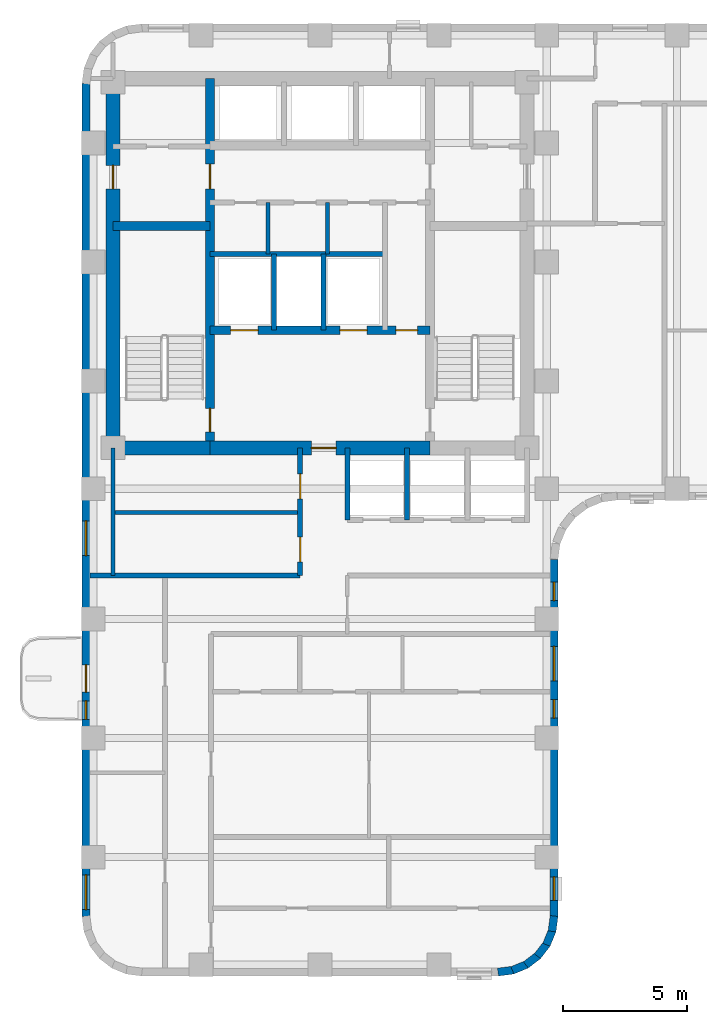
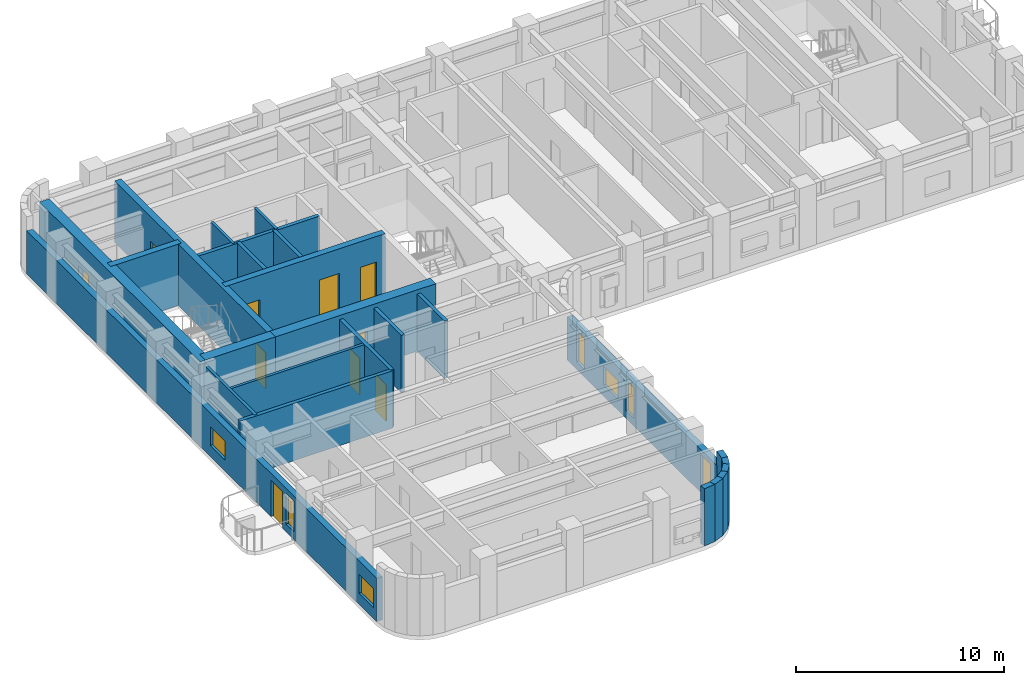
# One storey, part 3 of 10: 25 walls, 10 doors, 7 windows, 17 openings.
"""IFC4 building model written with IfcOpenShell, lengths in metres."""

from ifc_helpers import new_model, si_unit, direction, frame, frame_2d, origin, place, context, subcontext, project, spatial, rectangle, extrude, material, layer, layer_set, type_object, element, fill, save


model = new_model("IFC4")

# Units and contexts
model_context = context("Model", 3, precision=1e-05, world=origin(), true_north=direction((0.0, 1.0)))
body_context = subcontext(model_context, "Body", "Model", "MODEL_VIEW")
ifc_project = project(units=[si_unit("LENGTHUNIT", "METRE"), si_unit("AREAUNIT", "SQUARE_METRE"), si_unit("VOLUMEUNIT", "CUBIC_METRE"), si_unit("PLANEANGLEUNIT", "RADIAN"), si_unit("MASSUNIT", "GRAM", prefix="KILO")], contexts=[model_context])

# Site, building, storey
site_placement = place(None, origin())
site = spatial("IfcSite", under=ifc_project, at=site_placement, CompositionType="ELEMENT")
building_placement = place(site_placement, origin())
building = spatial("IfcBuilding", under=site, at=building_placement, Name="Orvandelia Arch Residences", CompositionType="ELEMENT")
storey_placement = place(building_placement, frame((0.0, 0.0, 143.199951171875)))
storey = spatial("IfcBuildingStorey", under=building, at=storey_placement, Name="L37", CompositionType="ELEMENT", Elevation=143.199951171875)

# Wall, openings, doors
ifc_material_1 = material(Name="Concrete C50/60", Category="concrete")
ifc_layer_1 = layer(ifc_material_1, 0.35009765625, Name="Concrete C50/60", Category="concrete")
ifc_layer_set_1 = layer_set([ifc_layer_1], Name="Concrete C50/60")
wall_type_1 = type_object("IfcWallType", Name="WL-CORE-350", PredefinedType="SHEAR", material=ifc_layer_set_1)
wall_1_placement = place(storey_placement, frame((9.9599609375, 30.89990234375, 0.0), z_axis=(0.0, 0.0, 1.0), x_axis=(0.0, 1.0, 0.0)))
wall_1 = element("IfcWall", 1, at=wall_1_placement, inside=storey, type_object=wall_type_1, Name="Core Shear Wall L37-WEB1", PredefinedType="SHEAR", context=body_context, shape_type="SweptSolid", body=[
    extrude(rectangle(XDim=14.900146484375, YDim=0.35009765625, at=frame_2d((7.4501953125, 0.0))), origin(), (0.0, 0.0, 1.0), 3.60009765625),
])
opening_1_placement = place(wall_1_placement, frame((0.64990234375, 0.0, 0.0)))
opening_1 = element("IfcOpeningElement", 2, at=opening_1_placement, cuts=wall_1, Name="Opening D7", PredefinedType="OPENING", context=body_context, shape_type="SweptSolid", body=[
    extrude(rectangle(XDim=0.949951171875, YDim=2.10009765625, at=frame_2d((0.47509765625, 1.050048828125))), frame((0.0, 0.18505859375, 0.0), z_axis=(0.0, -1.0, 0.0), x_axis=(1.0, 0.0, 0.0)), (0.0, 0.0, 1.0), 0.3701171875),
])
opening_2_placement = place(wall_1_placement, frame((10.449951171875, 0.0, 0.0)))
opening_2 = element("IfcOpeningElement", 3, at=opening_2_placement, cuts=wall_1, Name="Opening D6", PredefinedType="OPENING", context=body_context, shape_type="SweptSolid", body=[
    extrude(rectangle(XDim=1.0, YDim=2.14990234375, at=frame_2d((0.5, 1.074951171875))), frame((0.0, 0.18505859375, 0.0), z_axis=(0.0, -1.0, 0.0), x_axis=(1.0, 0.0, 0.0)), (0.0, 0.0, 1.0), 0.3701171875),
])
ifc_material_2 = material(Name="Smokeproof Painted Steel Fire Door", Category="steel")
door_type_1 = type_object("IfcDoorType", Name="DR-FD60-1000", OperationType="NOTDEFINED", PredefinedType="DOOR", material=ifc_material_2)
door_1_placement = place(opening_2_placement, origin())
door_1 = element("IfcDoor", 4, at=door_1_placement, inside=storey, type_object=door_type_1, Name="High-Rise Lift Hall West Vestibule Door L37", OperationType="SINGLE_SWING_LEFT", OverallHeight=2.14990234375, OverallWidth=1.0, PredefinedType="DOOR", context=body_context, shape_type="SweptSolid", body=[
    extrude(rectangle(XDim=1.0, YDim=2.14990234375, at=frame_2d((0.5, 1.074951171875))), frame((0.0, 0.02490234375, 0.0), z_axis=(0.0, -1.0, 0.0), x_axis=(1.0, 0.0, 0.0)), (0.0, 0.0, 1.0), 0.050048828125),
])
fill(opening_2, door_1)
ifc_material_3 = material(Name="Pressurised Stairwell Fire Door")
door_type_2 = type_object("IfcDoorType", Name="DR-STAIR-950", OperationType="NOTDEFINED", PredefinedType="DOOR", material=ifc_material_3)
door_2_placement = place(opening_1_placement, origin())
door_2 = element("IfcDoor", 5, at=door_2_placement, inside=storey, type_object=door_type_2, Name="Stairwell ST-1 Fire Door L37", OperationType="SINGLE_SWING_LEFT", OverallHeight=2.10009765625, OverallWidth=0.949951171875, PredefinedType="DOOR", context=body_context, shape_type="SweptSolid", body=[
    extrude(rectangle(XDim=0.949951171875, YDim=2.10009765625, at=frame_2d((0.47509765625, 1.050048828125))), frame((0.0, 0.02490234375, 0.0), z_axis=(0.0, -1.0, 0.0), x_axis=(1.0, 0.0, 0.0)), (0.0, 0.0, 1.0), 0.050048828125),
])
fill(opening_1, door_2)

# Wall
wall_2_placement = place(storey_placement, frame((6.050048828125, 39.85009765625, 0.0), z_axis=(0.0, 0.0, 1.0), x_axis=(1.0, 0.0, 0.0)))
element("IfcWall", 6, at=wall_2_placement, inside=storey, type_object=wall_type_1, Name="Core Shear Wall L37-HZ1", PredefinedType="SHEAR", context=body_context, shape_type="SweptSolid", body=[
    extrude(rectangle(XDim=3.909912109375, YDim=0.35009765625, at=frame_2d((1.955078125, 0.0))), origin(), (0.0, 0.0, 1.0), 3.60009765625),
])

# Wall, openings, doors
wall_3_placement = place(storey_placement, frame((9.9599609375, 35.64990234375, 0.0), z_axis=(0.0, 0.0, 1.0), x_axis=(1.0, 0.0, 0.0)))
wall_3 = element("IfcWall", 7, at=wall_3_placement, inside=storey, type_object=wall_type_1, Name="Core Shear Wall L37-HZ3", PredefinedType="SHEAR", context=body_context, shape_type="SweptSolid", body=[
    extrude(rectangle(XDim=8.880126953125, YDim=0.35009765625, at=frame_2d((4.43994140625, 0.0))), origin(), (0.0, 0.0, 1.0), 3.60009765625),
])
opening_3_placement = place(wall_3_placement, frame((0.840087890625, 0.0, 0.0)))
opening_3 = element("IfcOpeningElement", 8, at=opening_3_placement, cuts=wall_3, Name="Opening FLD", PredefinedType="OPENING", context=body_context, shape_type="SweptSolid", body=[
    extrude(rectangle(XDim=1.10009765625, YDim=2.14990234375, at=frame_2d((0.550048828125, 1.074951171875))), frame((0.0, 0.18505859375, 0.0), z_axis=(0.0, -1.0, 0.0), x_axis=(1.0, 0.0, 0.0)), (0.0, 0.0, 1.0), 0.3701171875),
])
opening_4_placement = place(wall_3_placement, frame((5.239990234375, 0.0, 0.0)))
opening_4 = element("IfcOpeningElement", 9, at=opening_4_placement, cuts=wall_3, Name="Opening FLD", PredefinedType="OPENING", context=body_context, shape_type="SweptSolid", body=[
    extrude(rectangle(XDim=1.10009765625, YDim=2.14990234375, at=frame_2d((0.550048828125, 1.074951171875))), frame((0.0, 0.18505859375, 0.0), z_axis=(0.0, -1.0, 0.0), x_axis=(1.0, 0.0, 0.0)), (0.0, 0.0, 1.0), 0.3701171875),
])
opening_5_placement = place(wall_3_placement, frame((7.5, 0.0, 0.0)))
opening_5 = element("IfcOpeningElement", 10, at=opening_5_placement, cuts=wall_3, Name="Opening D5", PredefinedType="OPENING", context=body_context, shape_type="SweptSolid", body=[
    extrude(rectangle(XDim=0.8798828125, YDim=2.10009765625, at=frame_2d((0.43994140625, 1.050048828125))), frame((0.0, 0.18505859375, 0.0), z_axis=(0.0, -1.0, 0.0), x_axis=(1.0, 0.0, 0.0)), (0.0, 0.0, 1.0), 0.3701171875),
])
ifc_material_4 = material(Name="Firefighting Lift Stainless Sliding Door")
door_type_3 = type_object("IfcDoorType", Name="DR-FLFT-1100", OperationType="NOTDEFINED", PredefinedType="DOOR", material=ifc_material_4)
door_3_placement = place(opening_3_placement, origin())
door_3 = element("IfcDoor", 11, at=door_3_placement, inside=storey, type_object=door_type_3, Name="Firefighting Lift Landing Door FLD-FL1-L37", OperationType="SLIDING_TO_LEFT", OverallHeight=2.14990234375, OverallWidth=1.10009765625, PredefinedType="DOOR", context=body_context, shape_type="SweptSolid", body=[
    extrude(rectangle(XDim=1.10009765625, YDim=2.14990234375, at=frame_2d((0.550048828125, 1.074951171875))), frame((0.0, 0.02490234375, 0.0), z_axis=(0.0, -1.0, 0.0), x_axis=(1.0, 0.0, 0.0)), (0.0, 0.0, 1.0), 0.050048828125),
])
fill(opening_3, door_3)
door_4_placement = place(opening_4_placement, origin())
door_4 = element("IfcDoor", 12, at=door_4_placement, inside=storey, type_object=door_type_3, Name="Firefighting Lift Landing Door FLD-FL2-L37", OperationType="SLIDING_TO_RIGHT", OverallHeight=2.14990234375, OverallWidth=1.10009765625, PredefinedType="DOOR", context=body_context, shape_type="SweptSolid", body=[
    extrude(rectangle(XDim=1.10009765625, YDim=2.14990234375, at=frame_2d((0.550048828125, 1.074951171875))), frame((0.0, 0.02490234375, 0.0), z_axis=(0.0, -1.0, 0.0), x_axis=(1.0, 0.0, 0.0)), (0.0, 0.0, 1.0), 0.050048828125),
])
fill(opening_4, door_4)
ifc_material_5 = material(Name="Painted Galvanised Steel Service Door", Category="steel")
door_type_4 = type_object("IfcDoorType", Name="DR-SRV-880", OperationType="NOTDEFINED", PredefinedType="DOOR", material=ifc_material_5)
door_5_placement = place(opening_5_placement, origin())
door_5 = element("IfcDoor", 13, at=door_5_placement, inside=storey, type_object=door_type_4, Name="Core Stairway Passage South Fire Door L37", OperationType="SINGLE_SWING_LEFT", OverallHeight=2.10009765625, OverallWidth=0.8798828125, PredefinedType="DOOR", context=body_context, shape_type="SweptSolid", body=[
    extrude(rectangle(XDim=0.8798828125, YDim=2.10009765625, at=frame_2d((0.43994140625, 1.050048828125))), frame((0.0, 0.02490234375, 0.0), z_axis=(0.0, -1.0, 0.0), x_axis=(1.0, 0.0, 0.0)), (0.0, 0.0, 1.0), 0.050048828125),
])
fill(opening_5, door_5)

# Wall, opening, door
ifc_material_6 = material(Name="Concrete C60/75", Category="concrete")
ifc_layer_2 = layer(ifc_material_6, 0.550048828125, Name="Concrete C60/75", Category="concrete")
ifc_layer_set_2 = layer_set([ifc_layer_2], Name="Concrete C60/75")
wall_type_2 = type_object("IfcWallType", Name="WL-CORE-550", PredefinedType="SHEAR", material=ifc_layer_set_2)
wall_4_placement = place(storey_placement, frame((6.050048828125, 30.625, 0.0), z_axis=(0.0, 0.0, 1.0), x_axis=(0.0, 1.0, 0.0)))
wall_4 = element("IfcWall", 14, at=wall_4_placement, inside=storey, type_object=wall_type_2, Name="Core Shear Wall L37-W", PredefinedType="SHEAR", context=body_context, shape_type="SweptSolid", body=[
    extrude(rectangle(XDim=15.449951171875, YDim=0.550048828125, at=frame_2d((7.72509765625, 0.0))), origin(), (0.0, 0.0, 1.0), 3.60009765625),
])
opening_6_placement = place(wall_4_placement, frame((10.72509765625, 0.0, 0.0)))
opening_6 = element("IfcOpeningElement", 15, at=opening_6_placement, cuts=wall_4, Name="Opening D2", PredefinedType="OPENING", context=body_context, shape_type="SweptSolid", body=[
    extrude(rectangle(XDim=0.949951171875, YDim=2.14990234375, at=frame_2d((0.47509765625, 1.074951171875))), frame((0.0, 0.28515625, 0.0), z_axis=(0.0, -1.0, 0.0), x_axis=(1.0, 0.0, 0.0)), (0.0, 0.0, 1.0), 0.570068359375),
])
ifc_material_7 = material(Name="Solid-Core Timber Interior Fire Door", Category="wood")
door_type_5 = type_object("IfcDoorType", Name="DR-APT-950", OperationType="NOTDEFINED", PredefinedType="DOOR", material=ifc_material_7)
door_6_placement = place(opening_6_placement, origin())
door_6 = element("IfcDoor", 16, at=door_6_placement, inside=storey, type_object=door_type_5, Name="West Viewing Study Door L37", OperationType="SINGLE_SWING_RIGHT", OverallHeight=2.14990234375, OverallWidth=0.949951171875, PredefinedType="DOOR", context=body_context, shape_type="SweptSolid", body=[
    extrude(rectangle(XDim=0.949951171875, YDim=2.14990234375, at=frame_2d((0.47509765625, 1.074951171875))), frame((0.0, 0.02490234375, 0.0), z_axis=(0.0, -1.0, 0.0), x_axis=(1.0, 0.0, 0.0)), (0.0, 0.0, 1.0), 0.050048828125),
])
fill(opening_6, door_6)

# Wall
wall_5_placement = place(storey_placement, frame((6.050048828125, 30.89990234375, 0.0), z_axis=(0.0, 0.0, 1.0), x_axis=(1.0, 0.0, 0.0)))
element("IfcWall", 17, at=wall_5_placement, inside=storey, type_object=wall_type_2, Name="Core Shear Wall L37-SW", PredefinedType="SHEAR", context=body_context, shape_type="SweptSolid", body=[
    extrude(rectangle(XDim=3.909912109375, YDim=0.550048828125, at=frame_2d((1.955078125, 0.0))), origin(), (0.0, 0.0, 1.0), 3.60009765625),
])

# Wall, opening, door
wall_6_placement = place(storey_placement, frame((9.9599609375, 30.89990234375, 0.0), z_axis=(0.0, 0.0, 1.0), x_axis=(1.0, 0.0, 0.0)))
wall_6 = element("IfcWall", 18, at=wall_6_placement, inside=storey, type_object=wall_type_2, Name="Core Shear Wall L37-SM", PredefinedType="SHEAR", context=body_context, shape_type="SweptSolid", body=[
    extrude(rectangle(XDim=8.880126953125, YDim=0.550048828125, at=frame_2d((4.43994140625, 0.0))), origin(), (0.0, 0.0, 1.0), 3.60009765625),
])
opening_7_placement = place(wall_6_placement, frame((4.090087890625, 0.0, 0.0)))
opening_7 = element("IfcOpeningElement", 19, at=opening_7_placement, cuts=wall_6, Name="Opening D6", PredefinedType="OPENING", context=body_context, shape_type="SweptSolid", body=[
    extrude(rectangle(XDim=1.0, YDim=2.14990234375, at=frame_2d((0.5, 1.074951171875))), frame((0.0, 0.28515625, 0.0), z_axis=(0.0, -1.0, 0.0), x_axis=(1.0, 0.0, 0.0)), (0.0, 0.0, 1.0), 0.570068359375),
])
door_7_placement = place(opening_7_placement, origin())
door_7 = element("IfcDoor", 20, at=door_7_placement, inside=storey, type_object=door_type_1, Name="Firefighting Lobby Smokeproof Door L37", OperationType="SINGLE_SWING_LEFT", OverallHeight=2.14990234375, OverallWidth=1.0, PredefinedType="DOOR", context=body_context, shape_type="SweptSolid", body=[
    extrude(rectangle(XDim=1.0, YDim=2.14990234375, at=frame_2d((0.5, 1.074951171875))), frame((0.0, 0.02490234375, 0.0), z_axis=(0.0, -1.0, 0.0), x_axis=(1.0, 0.0, 0.0)), (0.0, 0.0, 1.0), 0.050048828125),
])
fill(opening_7, door_7)

# Wall
ifc_material_8 = material(Name="Fire-Rated Corridor Partition")
ifc_layer_3 = layer(ifc_material_8, 0.199951171875, Name="Fire-Rated Corridor Partition")
ifc_layer_set_3 = layer_set([ifc_layer_3], Name="Fire-Rated Corridor Partition")
wall_type_3 = type_object("IfcWallType", Name="WL-CORR-200", PredefinedType="PARTITIONING", material=ifc_layer_set_3)
wall_7_placement = place(storey_placement, frame((5.1201171875, 25.75, 0.0), z_axis=(0.0, 0.0, 1.0), x_axis=(1.0, 0.0, 0.0)))
element("IfcWall", 21, at=wall_7_placement, inside=storey, type_object=wall_type_3, Name="Interior Partition Wall WL-L37-WLNK-N", PredefinedType="PARTITIONING", context=body_context, shape_type="SweptSolid", body=[
    extrude(rectangle(XDim=8.47998046875, YDim=0.199951171875, at=frame_2d((4.239990234375, 0.0))), origin(), (0.0, 0.0, 1.0), 3.360107421875),
])

# Wall, openings, windows
ifc_material_9 = material(Name="Precast concrete C40/50", Category="concrete")
ifc_layer_4 = layer(ifc_material_9, 0.320068359375, Name="Precast concrete C40/50", Category="concrete")
ifc_layer_set_4 = layer_set([ifc_layer_4], Name="Precast concrete C40/50")
wall_type_4 = type_object("IfcWallType", Name="WL-EXT-STONE-320", PredefinedType="STANDARD", material=ifc_layer_set_4)
wall_8_placement = place(storey_placement, frame((23.840087890625, 26.39990234375, 0.0), z_axis=(0.0, 0.0, 1.0), x_axis=(0.0, -1.0, 0.0)))
wall_8 = element("IfcWall", 22, at=wall_8_placement, inside=storey, type_object=wall_type_4, Name="Coral-Limestone Precast Facade Wall L37-028", PredefinedType="STANDARD", context=body_context, shape_type="SweptSolid", body=[
    extrude(rectangle(XDim=14.39990234375, YDim=0.320068359375, at=frame_2d((7.199951171875, 0.0))), origin(), (0.0, 0.0, 1.0), 2.5400390625),
])
opening_8_placement = place(wall_8_placement, frame((3.5, 0.0, 0.64990234375)))
opening_8 = element("IfcOpeningElement", 23, at=opening_8_placement, cuts=wall_8, Name="Opening W10", PredefinedType="OPENING", context=body_context, shape_type="SweptSolid", body=[
    extrude(rectangle(XDim=1.39990234375, YDim=1.10009765625, at=frame_2d((0.699951171875, 0.550048828125))), frame((0.0, 0.169921875, 0.0), z_axis=(0.0, -1.0, 0.0), x_axis=(1.0, 0.0, 0.0)), (0.0, 0.0, 1.0), 0.340087890625),
])
opening_9_placement = place(wall_8_placement, frame((12.801513671875, 0.0, 0.449951171875)))
opening_9 = element("IfcOpeningElement", 24, at=opening_9_placement, cuts=wall_8, Name="Opening W4", PredefinedType="OPENING", context=body_context, shape_type="SweptSolid", body=[
    extrude(rectangle(XDim=0.949951171875, YDim=1.800048828125, at=frame_2d((0.47509765625, 0.89990234375))), frame((0.0, 0.169921875, 0.0), z_axis=(0.0, -1.0, 0.0), x_axis=(1.0, 0.0, 0.0)), (0.0, 0.0, 1.0), 0.340087890625),
])
opening_10_placement = place(wall_8_placement, frame((5.6474609375, 0.0, 0.449951171875)))
opening_10 = element("IfcOpeningElement", 25, at=opening_10_placement, cuts=wall_8, Name="Opening W11", PredefinedType="OPENING", context=body_context, shape_type="SweptSolid", body=[
    extrude(rectangle(XDim=0.75, YDim=1.800048828125, at=frame_2d((0.375, 0.89990234375))), frame((0.0, 0.169921875, 0.0), z_axis=(0.0, -1.0, 0.0), x_axis=(1.0, 0.0, 0.0)), (0.0, 0.0, 1.0), 0.340087890625),
])
opening_11_placement = place(wall_8_placement, frame((0.907470703125, 0.0, 0.449951171875)))
opening_11 = element("IfcOpeningElement", 26, at=opening_11_placement, cuts=wall_8, Name="Opening W11", PredefinedType="OPENING", context=body_context, shape_type="SweptSolid", body=[
    extrude(rectangle(XDim=0.75, YDim=1.800048828125, at=frame_2d((0.375, 0.89990234375))), frame((0.0, 0.169921875, 0.0), z_axis=(0.0, -1.0, 0.0), x_axis=(1.0, 0.0, 0.0)), (0.0, 0.0, 1.0), 0.340087890625),
])
ifc_material_10 = material(Name="Tempered Low-E Insulated Glazing", Category="glass")
window_type_1 = type_object("IfcWindowType", Name="WIN-BED-0750x1800", PartitioningType="SINGLE_PANEL", PredefinedType="WINDOW", material=ifc_material_10)
window_1_placement = place(opening_10_placement, origin())
window_1 = element("IfcWindow", 27, at=window_1_placement, inside=storey, type_object=window_type_1, Name="Recessed Punched Window L37-016", OverallHeight=1.800048828125, OverallWidth=0.75, PartitioningType="SINGLE_PANEL", PredefinedType="WINDOW", context=body_context, shape_type="SweptSolid", body=[
    extrude(rectangle(XDim=0.75, YDim=1.800048828125, at=frame_2d((0.375, 0.89990234375))), frame((0.0, 0.030029296875, 0.0), z_axis=(0.0, -1.0, 0.0), x_axis=(1.0, 0.0, 0.0)), (0.0, 0.0, 1.0), 0.06005859375),
])
fill(opening_10, window_1)
window_2_placement = place(opening_11_placement, origin())
window_2 = element("IfcWindow", 28, at=window_2_placement, inside=storey, type_object=window_type_1, Name="Recessed Punched Window L37-017", OverallHeight=1.800048828125, OverallWidth=0.75, PartitioningType="SINGLE_PANEL", PredefinedType="WINDOW", context=body_context, shape_type="SweptSolid", body=[
    extrude(rectangle(XDim=0.75, YDim=1.800048828125, at=frame_2d((0.375, 0.89990234375))), frame((0.0, 0.030029296875, 0.0), z_axis=(0.0, -1.0, 0.0), x_axis=(1.0, 0.0, 0.0)), (0.0, 0.0, 1.0), 0.06005859375),
])
fill(opening_11, window_2)
window_type_2 = type_object("IfcWindowType", Name="WIN-CLR-1400x1100", PartitioningType="SINGLE_PANEL", PredefinedType="WINDOW", material=ifc_material_10)
window_3_placement = place(opening_8_placement, origin())
window_3 = element("IfcWindow", 29, at=window_3_placement, inside=storey, type_object=window_type_2, Name="Recessed Punched Window L37-014", OverallHeight=1.10009765625, OverallWidth=1.39990234375, PartitioningType="SINGLE_PANEL", PredefinedType="WINDOW", context=body_context, shape_type="SweptSolid", body=[
    extrude(rectangle(XDim=1.39990234375, YDim=1.10009765625, at=frame_2d((0.699951171875, 0.550048828125))), frame((0.0, 0.030029296875, 0.0), z_axis=(0.0, -1.0, 0.0), x_axis=(1.0, 0.0, 0.0)), (0.0, 0.0, 1.0), 0.06005859375),
])
fill(opening_8, window_3)
window_type_3 = type_object("IfcWindowType", Name="WIN-RES-0950x1800", PartitioningType="SINGLE_PANEL", PredefinedType="WINDOW", material=ifc_material_10)
window_4_placement = place(opening_9_placement, origin())
window_4 = element("IfcWindow", 30, at=window_4_placement, inside=storey, type_object=window_type_3, Name="Recessed Punched Window L37-015", OverallHeight=1.800048828125, OverallWidth=0.949951171875, PartitioningType="SINGLE_PANEL", PredefinedType="WINDOW", context=body_context, shape_type="SweptSolid", body=[
    extrude(rectangle(XDim=0.949951171875, YDim=1.800048828125, at=frame_2d((0.47509765625, 0.89990234375))), frame((0.0, 0.030029296875, 0.0), z_axis=(0.0, -1.0, 0.0), x_axis=(1.0, 0.0, 0.0)), (0.0, 0.0, 1.0), 0.06005859375),
])
fill(opening_9, window_4)

# Walls
wall_9_placement = place(storey_placement, frame((23.84130859375, 12.02099609375, 0.0), z_axis=(0.0, 0.0, 1.0), x_axis=(-0.130504898859, -0.991447664465, 0.0)))
element("IfcWall", 31, at=wall_9_placement, inside=storey, type_object=wall_type_4, Name="Coral-Limestone Precast Facade Wall L37-029", PredefinedType="STANDARD", context=body_context, shape_type="SweptSolid", body=[
    extrude(rectangle(XDim=0.626708984375, YDim=0.320068359375, at=frame_2d((0.3134765625, 0.0))), origin(), (0.0, 0.0, 1.0), 3.360107421875),
])
for number, where, z_axis, x_axis, name in (
    (32, (23.7705078125, 11.43994140625, 0.0), (0.0, 0.0, 1.0), (-0.382650053678, -0.92389335771, 0.0), "Coral-Limestone Precast Facade Wall L37-030"),
    (33, (23.551513671875, 10.8974609375, 0.0), (0.0, 0.0, 1.0), (-0.608693302629, -0.793405610854, 0.0), "Coral-Limestone Precast Facade Wall L37-031"),
    (34, (23.19970703125, 10.4296875, 0.0), (0.0, 0.0, 1.0), (-0.793405610854, -0.608693302629, 0.0), "Coral-Limestone Precast Facade Wall L37-032"),
    (35, (22.73876953125, 10.0693359375, 0.0), (0.0, 0.0, 1.0), (-0.92389335771, -0.382650053678, 0.0), "Coral-Limestone Precast Facade Wall L37-033"),
    (36, (22.2001953125, 9.84033203125, 0.0), (0.0, 0.0, 1.0), (-0.9914410257, -0.130555323746, 0.0), "Coral-Limestone Precast Facade Wall L37-034"),
):
    element("IfcWall", number, at=place(storey_placement, frame(where, z_axis=z_axis, x_axis=x_axis)), inside=storey, type_object=wall_type_4, Name=name, PredefinedType="STANDARD", context=body_context, shape_type="SweptSolid", body=[
        extrude(rectangle(XDim=0.62646484375, YDim=0.320068359375, at=frame_2d((0.313232421875, 0.0))), origin(), (0.0, 0.0, 1.0), 3.360107421875),
    ])

# Wall, openings, door, windows
wall_10_placement = place(storey_placement, frame((4.9599609375, 12.0, 0.0), z_axis=(0.0, 0.0, 1.0), x_axis=(0.0, 1.0, 0.0)))
wall_10 = element("IfcWall", 37, at=wall_10_placement, inside=storey, type_object=wall_type_4, Name="Coral-Limestone Precast Facade Wall L37-042", PredefinedType="STANDARD", context=body_context, shape_type="SweptSolid", body=[
    extrude(rectangle(XDim=33.60009765625, YDim=0.320068359375, at=frame_2d((16.800048828125, 0.0))), origin(), (0.0, 0.0, 1.0), 2.5400390625),
])
opening_12_placement = place(wall_10_placement, frame((9.050048828125, 0.0, 0.0)))
opening_12 = element("IfcOpeningElement", 38, at=opening_12_placement, cuts=wall_10, Name="Opening BD1", PredefinedType="OPENING", context=body_context, shape_type="SweptSolid", body=[
    extrude(rectangle(XDim=1.10009765625, YDim=2.14990234375, at=frame_2d((0.550048828125, 1.074951171875))), frame((0.0, 0.169921875, 0.0), z_axis=(0.0, -1.0, 0.0), x_axis=(1.0, 0.0, 0.0)), (0.0, 0.0, 1.0), 0.340087890625),
])
opening_13_placement = place(wall_10_placement, frame((14.5576171875, 0.0, 0.64990234375)))
opening_13 = element("IfcOpeningElement", 39, at=opening_13_placement, cuts=wall_10, Name="Opening W10", PredefinedType="OPENING", context=body_context, shape_type="SweptSolid", body=[
    extrude(rectangle(XDim=1.39990234375, YDim=1.10009765625, at=frame_2d((0.699951171875, 0.550048828125))), frame((0.0, 0.169921875, 0.0), z_axis=(0.0, -1.0, 0.0), x_axis=(1.0, 0.0, 0.0)), (0.0, 0.0, 1.0), 0.340087890625),
])
opening_14_placement = place(wall_10_placement, frame((0.282470703125, 0.0, 0.64990234375)))
opening_14 = element("IfcOpeningElement", 40, at=opening_14_placement, cuts=wall_10, Name="Opening W10", PredefinedType="OPENING", context=body_context, shape_type="SweptSolid", body=[
    extrude(rectangle(XDim=1.39990234375, YDim=1.10009765625, at=frame_2d((0.699951171875, 0.550048828125))), frame((0.0, 0.169921875, 0.0), z_axis=(0.0, -1.0, 0.0), x_axis=(1.0, 0.0, 0.0)), (0.0, 0.0, 1.0), 0.340087890625),
])
opening_15_placement = place(wall_10_placement, frame((7.947509765625, 0.0, 0.449951171875)))
opening_15 = element("IfcOpeningElement", 41, at=opening_15_placement, cuts=wall_10, Name="Opening W11", PredefinedType="OPENING", context=body_context, shape_type="SweptSolid", body=[
    extrude(rectangle(XDim=0.75, YDim=1.800048828125, at=frame_2d((0.375, 0.89990234375))), frame((0.0, 0.169921875, 0.0), z_axis=(0.0, -1.0, 0.0), x_axis=(1.0, 0.0, 0.0)), (0.0, 0.0, 1.0), 0.340087890625),
])
ifc_material_11 = material(Name="Thermally Broken Aluminium Glazed Door", Category="aluminium")
door_type_6 = type_object("IfcDoorType", Name="DR-BAL-GLAZ-1100", OperationType="NOTDEFINED", PredefinedType="DOOR", material=ifc_material_11)
door_8_placement = place(opening_12_placement, origin())
door_8 = element("IfcDoor", 42, at=door_8_placement, inside=storey, type_object=door_type_6, Name="Tree Balcony Glazed Door BAL-L37-W1", OperationType="SINGLE_SWING_RIGHT", OverallHeight=2.14990234375, OverallWidth=1.10009765625, PredefinedType="DOOR", context=body_context, shape_type="SweptSolid", body=[
    extrude(rectangle(XDim=1.10009765625, YDim=2.14990234375, at=frame_2d((0.550048828125, 1.074951171875))), frame((0.0, 0.02490234375, 0.0), z_axis=(0.0, -1.0, 0.0), x_axis=(1.0, 0.0, 0.0)), (0.0, 0.0, 1.0), 0.050048828125),
])
fill(opening_12, door_8)
window_5_placement = place(opening_15_placement, origin())
window_5 = element("IfcWindow", 43, at=window_5_placement, inside=storey, type_object=window_type_1, Name="Recessed Punched Window L37-021", OverallHeight=1.800048828125, OverallWidth=0.75, PartitioningType="SINGLE_PANEL", PredefinedType="WINDOW", context=body_context, shape_type="SweptSolid", body=[
    extrude(rectangle(XDim=0.75, YDim=1.800048828125, at=frame_2d((0.375, 0.89990234375))), frame((0.0, 0.030029296875, 0.0), z_axis=(0.0, -1.0, 0.0), x_axis=(1.0, 0.0, 0.0)), (0.0, 0.0, 1.0), 0.06005859375),
])
fill(opening_15, window_5)
window_6_placement = place(opening_13_placement, origin())
window_6 = element("IfcWindow", 44, at=window_6_placement, inside=storey, type_object=window_type_2, Name="Recessed Punched Window L37-019", OverallHeight=1.10009765625, OverallWidth=1.39990234375, PartitioningType="SINGLE_PANEL", PredefinedType="WINDOW", context=body_context, shape_type="SweptSolid", body=[
    extrude(rectangle(XDim=1.39990234375, YDim=1.10009765625, at=frame_2d((0.699951171875, 0.550048828125))), frame((0.0, 0.030029296875, 0.0), z_axis=(0.0, -1.0, 0.0), x_axis=(1.0, 0.0, 0.0)), (0.0, 0.0, 1.0), 0.06005859375),
])
fill(opening_13, window_6)
window_7_placement = place(opening_14_placement, origin())
window_7 = element("IfcWindow", 45, at=window_7_placement, inside=storey, type_object=window_type_2, Name="Recessed Punched Window L37-020", OverallHeight=1.10009765625, OverallWidth=1.39990234375, PartitioningType="SINGLE_PANEL", PredefinedType="WINDOW", context=body_context, shape_type="SweptSolid", body=[
    extrude(rectangle(XDim=1.39990234375, YDim=1.10009765625, at=frame_2d((0.699951171875, 0.550048828125))), frame((0.0, 0.030029296875, 0.0), z_axis=(0.0, -1.0, 0.0), x_axis=(1.0, 0.0, 0.0)), (0.0, 0.0, 1.0), 0.06005859375),
])
fill(opening_14, window_7)

# Walls
ifc_material_12 = material(Name="Acoustic Gypsum Stud Partition")
ifc_layer_5 = layer(ifc_material_12, 0.14990234375, Name="Acoustic Gypsum Stud Partition")
ifc_layer_set_5 = layer_set([ifc_layer_5], Name="Acoustic Gypsum Stud Partition")
wall_type_5 = type_object("IfcWallType", Name="WL-PART-150", PredefinedType="PARTITIONING", material=ifc_layer_set_5)
for number, where, z_axis, x_axis, name in (
    (46, (12.300048828125, 38.719970703125, 0.0), (0.0, 0.0, 1.0), (0.0, 1.0, 0.0), "Interior Partition Wall WL-L37-CSA-1"),
    (47, (14.699951171875, 38.719970703125, 0.0), (0.0, 0.0, 1.0), (0.0, 1.0, 0.0), "Interior Partition Wall WL-L37-CSA-2"),
):
    element("IfcWall", number, at=place(storey_placement, frame(where, z_axis=z_axis, x_axis=x_axis)), inside=storey, type_object=wall_type_5, Name=name, PredefinedType="PARTITIONING", context=body_context, shape_type="SweptSolid", body=[
        extrude(rectangle(XDim=2.080078125, YDim=0.14990234375, at=frame_2d((1.0400390625, 0.0))), origin(), (0.0, 0.0, 1.0), 3.360107421875),
    ])
wall_11_placement = place(storey_placement, frame((6.050048828125, 25.75, 0.0), z_axis=(0.0, 0.0, 1.0), x_axis=(0.0, 1.0, 0.0)))
element("IfcWall", 48, at=wall_11_placement, inside=storey, type_object=wall_type_5, Name="Interior Partition Wall WL-L37-B1REUSE-W", PredefinedType="PARTITIONING", context=body_context, shape_type="SweptSolid", body=[
    extrude(rectangle(XDim=5.14990234375, YDim=0.14990234375, at=frame_2d((2.574951171875, 0.0))), origin(), (0.0, 0.0, 1.0), 3.360107421875),
])
wall_12_placement = place(storey_placement, frame((6.050048828125, 28.300048828125, 0.0), z_axis=(0.0, 0.0, 1.0), x_axis=(1.0, 0.0, 0.0)))
element("IfcWall", 49, at=wall_12_placement, inside=storey, type_object=wall_type_5, Name="Interior Partition Wall WL-L37-B1R-H", PredefinedType="PARTITIONING", context=body_context, shape_type="SweptSolid", body=[
    extrude(rectangle(XDim=7.550048828125, YDim=0.14990234375, at=frame_2d((3.77490234375, 0.0))), origin(), (0.0, 0.0, 1.0), 3.360107421875),
])
ifc_material_13 = material(Name="Fire-Rated Shaft Enclosure Wall")
ifc_layer_6 = layer(ifc_material_13, 0.199951171875, Name="Fire-Rated Shaft Enclosure Wall")
ifc_layer_set_6 = layer_set([ifc_layer_6], Name="Fire-Rated Shaft Enclosure Wall")
wall_type_6 = type_object("IfcWallType", Name="WL-SHAFT-200", PredefinedType="POLYGONAL", material=ifc_layer_set_6)
wall_13_placement = place(storey_placement, frame((9.9599609375, 38.719970703125, 0.0), z_axis=(0.0, 0.0, 1.0), x_axis=(1.0, 0.0, 0.0)))
element("IfcWall", 50, at=wall_13_placement, inside=storey, type_object=wall_type_6, Name="Interior Partition Wall WL-L37-FLN", PredefinedType="POLYGONAL", context=body_context, shape_type="SweptSolid", body=[
    extrude(rectangle(XDim=7.06005859375, YDim=0.199951171875, at=frame_2d((3.530029296875, 0.0))), origin(), (0.0, 0.0, 1.0), 3.360107421875),
])
for number, where, z_axis, x_axis, name in (
    (51, (12.550048828125, 35.64990234375, 0.0), (0.0, 0.0, 1.0), (0.0, 1.0, 0.0), "Interior Partition Wall WL-L37-FLM1"),
    (52, (14.550048828125, 35.64990234375, 0.0), (0.0, 0.0, 1.0), (0.0, 1.0, 0.0), "Interior Partition Wall WL-L37-FLM2"),
):
    element("IfcWall", number, at=place(storey_placement, frame(where, z_axis=z_axis, x_axis=x_axis)), inside=storey, type_object=wall_type_6, Name=name, PredefinedType="POLYGONAL", context=body_context, shape_type="SweptSolid", body=[
        extrude(rectangle(XDim=3.070068359375, YDim=0.199951171875, at=frame_2d((1.53515625, 0.0))), origin(), (0.0, 0.0, 1.0), 3.360107421875),
    ])

# Wall, openings, doors
wall_14_placement = place(storey_placement, frame((13.60009765625, 25.75, 0.0), z_axis=(0.0, 0.0, 1.0), x_axis=(0.0, 1.0, 0.0)))
wall_14 = element("IfcWall", 53, at=wall_14_placement, inside=storey, type_object=wall_type_6, Name="Interior Partition Wall WL-L37-B1REUSE-E", PredefinedType="POLYGONAL", context=body_context, shape_type="SweptSolid", body=[
    extrude(rectangle(XDim=5.14990234375, YDim=0.199951171875, at=frame_2d((2.574951171875, 0.0))), origin(), (0.0, 0.0, 1.0), 3.360107421875),
])
opening_16_placement = place(wall_14_placement, frame((0.550048828125, 0.0, 0.0)))
opening_16 = element("IfcOpeningElement", 54, at=opening_16_placement, cuts=wall_14, Name="Opening D6", PredefinedType="OPENING", context=body_context, shape_type="SweptSolid", body=[
    extrude(rectangle(XDim=1.0, YDim=2.14990234375, at=frame_2d((0.5, 1.074951171875))), frame((0.0, 0.10986328125, 0.0), z_axis=(0.0, -1.0, 0.0), x_axis=(1.0, 0.0, 0.0)), (0.0, 0.0, 1.0), 0.219970703125),
])
opening_17_placement = place(wall_14_placement, frame((3.10009765625, 0.0, 0.0)))
opening_17 = element("IfcOpeningElement", 55, at=opening_17_placement, cuts=wall_14, Name="Opening D6", PredefinedType="OPENING", context=body_context, shape_type="SweptSolid", body=[
    extrude(rectangle(XDim=1.0, YDim=2.14990234375, at=frame_2d((0.5, 1.074951171875))), frame((0.0, 0.10986328125, 0.0), z_axis=(0.0, -1.0, 0.0), x_axis=(1.0, 0.0, 0.0)), (0.0, 0.0, 1.0), 0.219970703125),
])
door_9_placement = place(opening_16_placement, origin())
door_9 = element("IfcDoor", 56, at=door_9_placement, inside=storey, type_object=door_type_1, Name="DR-L37-B1RS", OperationType="SINGLE_SWING_LEFT", OverallHeight=2.14990234375, OverallWidth=1.0, PredefinedType="DOOR", context=body_context, shape_type="SweptSolid", body=[
    extrude(rectangle(XDim=1.0, YDim=2.14990234375, at=frame_2d((0.5, 1.074951171875))), frame((0.0, 0.02490234375, 0.0), z_axis=(0.0, -1.0, 0.0), x_axis=(1.0, 0.0, 0.0)), (0.0, 0.0, 1.0), 0.050048828125),
])
fill(opening_16, door_9)
door_10_placement = place(opening_17_placement, origin())
door_10 = element("IfcDoor", 57, at=door_10_placement, inside=storey, type_object=door_type_1, Name="DR-L37-B1RN", OperationType="SINGLE_SWING_RIGHT", OverallHeight=2.14990234375, OverallWidth=1.0, PredefinedType="DOOR", context=body_context, shape_type="SweptSolid", body=[
    extrude(rectangle(XDim=1.0, YDim=2.14990234375, at=frame_2d((0.5, 1.074951171875))), frame((0.0, 0.02490234375, 0.0), z_axis=(0.0, -1.0, 0.0), x_axis=(1.0, 0.0, 0.0)), (0.0, 0.0, 1.0), 0.050048828125),
])
fill(opening_17, door_10)

# Walls
for number, where, z_axis, x_axis, name in (
    (58, (15.5, 28.0, 0.0), (0.0, 0.0, 1.0), (0.0, 1.0, 0.0), "Interior Partition Wall WL-L37-BNKM-W"),
    (59, (17.89990234375, 28.0, 0.0), (0.0, 0.0, 1.0), (0.0, 1.0, 0.0), "Interior Partition Wall WL-L37-BNKMD-1789"),
):
    element("IfcWall", number, at=place(storey_placement, frame(where, z_axis=z_axis, x_axis=x_axis)), inside=storey, type_object=wall_type_6, Name=name, PredefinedType="POLYGONAL", context=body_context, shape_type="SweptSolid", body=[
        extrude(rectangle(XDim=2.89990234375, YDim=0.199951171875, at=frame_2d((1.449951171875, 0.0))), origin(), (0.0, 0.0, 1.0), 3.360107421875),
    ])

save(model, "model.ifc")
